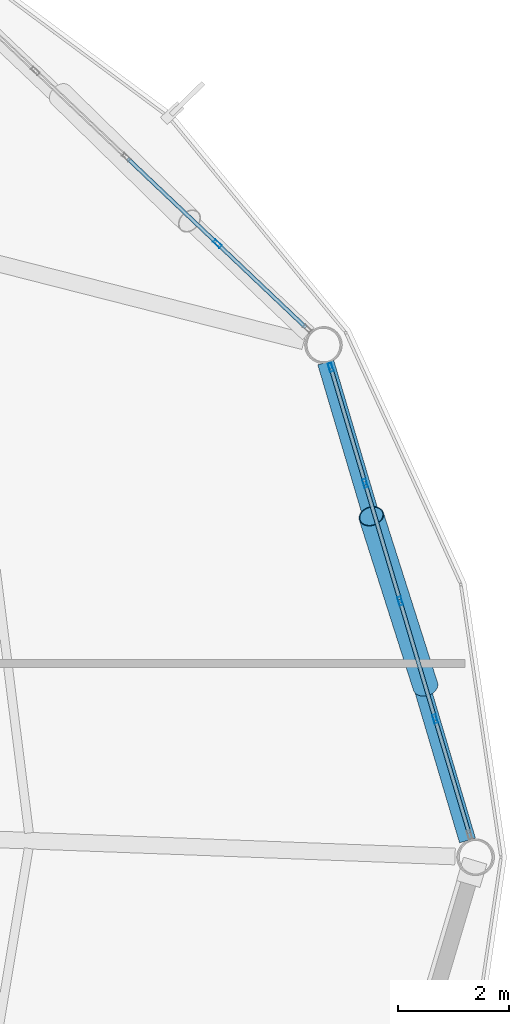
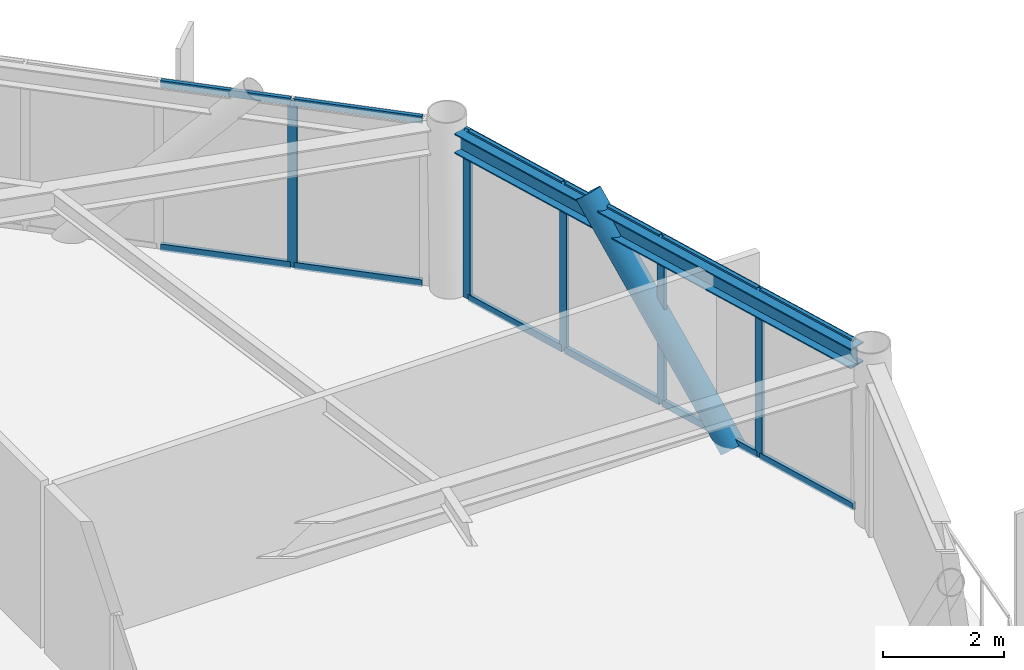
# One storey, part 16 of 28: 18 members, 1 beam, 2 elements without a shape of their own.
"""IFC4 building model written with IfcOpenShell, lengths in metres."""

from ifc_helpers import new_model, si_unit, direction, frame, origin, origin_2d, place, context, subcontext, project, spatial, hollow_rectangle, hollow_circle, i_section, extrude, material, layer, layer_set, material_profile, profile_set, type_object, element, aggregate, save


model = new_model("IFC4")

# Units and contexts
model_context = context("Model", 3, precision=1e-05, world=origin(), true_north=direction((0.0, 1.0)))
body_context = subcontext(model_context, "Body", "Model", "MODEL_VIEW")
ifc_project = project(units=[si_unit("LENGTHUNIT", "METRE"), si_unit("AREAUNIT", "SQUARE_METRE"), si_unit("VOLUMEUNIT", "CUBIC_METRE"), si_unit("PLANEANGLEUNIT", "RADIAN"), si_unit("MASSUNIT", "GRAM", prefix="KILO")], contexts=[model_context])

# Site, building, storey
site_placement = place(None, origin())
site = spatial("IfcSite", under=ifc_project, at=site_placement, CompositionType="ELEMENT")
building_placement = place(site_placement, origin())
building = spatial("IfcBuilding", under=site, at=building_placement, Name="Varnakorn Sky Granary", CompositionType="ELEMENT")
storey_placement = place(building_placement, frame((0.0, 0.0, 186.0)))
storey = spatial("IfcBuildingStorey", under=building, at=storey_placement, Name="L46", CompositionType="ELEMENT", Elevation=186.0)

# Beam
ifc_material_1 = material(Name="Steel S355JR", Category="steel")
ifc_material_profile_1 = material_profile(ifc_material_1, i_section(OverallWidth=0.300048828125, OverallDepth=0.39990234375, WebThickness=0.013427734375, FlangeThickness=0.02392578125, at=origin_2d()), Name="HE 400 B")
ifc_profile_set_1 = profile_set([ifc_material_profile_1], Name="Steel S355JR")
beam_type = type_object("IfcBeamType", Name="BM-SPD-Z4", PredefinedType="SPANDREL", material=ifc_profile_set_1)
beam_placement = place(storey_placement, frame((24.33935546875, 0.302001953125, 3.159912109375), z_axis=(-0.284290421761, 0.958738210407, 0.0), x_axis=(-0.958738210407, -0.284290421761, 0.0)))
element("IfcBeam", 1, at=beam_placement, inside=storey, type_object=beam_type, Name="Perimeter Spandrel Ring Beam RB01 L46", PredefinedType="SPANDREL", context=body_context, shape_type="SweptSolid", body=[
    extrude(i_section(OverallWidth=0.300048828125, OverallDepth=0.39990234375, WebThickness=0.013427734375, FlangeThickness=0.02392578125, at=origin_2d()), origin(), (0.0, 0.0, 1.0), 9.007568359375),
])

# Curtain wall, members
ifc_material_2 = material(Name="Anodised Bronze Aluminium Alloy 6063-T6", Category="aluminium")
ifc_layer = layer(ifc_material_2, 0.169921875, Name="Anodised Bronze Aluminium Alloy 6063-T6")
ifc_layer_set = layer_set([ifc_layer], Name="Anodised Bronze Aluminium Alloy 6063-T6")
curtain_wall_type = type_object("IfcCurtainWallType", Name="CW-LAB-1", PredefinedType="USERDEFINED", material=ifc_layer_set)
curtain_wall_1_placement = place(storey_placement, origin())
curtain_wall_1 = element("IfcCurtainWall", 2, at=curtain_wall_1_placement, inside=storey, type_object=curtain_wall_type, Name="Unitised Curtain Wall CW5 CW-L46-B01", ObjectType="CURTAIN WALL", PredefinedType="USERDEFINED")
ifc_material_profile_2 = material_profile(ifc_material_2, hollow_rectangle(XDim=0.06494140625, YDim=0.159912109375, WallThickness=0.00341796875, at=origin_2d()), Name="ALU MULL 65x160")
ifc_profile_set_2 = profile_set([ifc_material_profile_2], Name="Anodised Bronze Aluminium Alloy 6063-T6")
member_type_1 = type_object("IfcMemberType", Name="CW-LAB-1-MULL", PredefinedType="MULLION", material=ifc_profile_set_2)
member_1_placement = place(storey_placement, frame((21.8681640625, 8.8515625, 0.0), z_axis=(0.0, 0.0, 1.0), x_axis=(0.958613672651, 0.28471007465, 0.0)))
member_1 = element("IfcMember", 3, at=member_1_placement, type_object=member_type_1, Name="CW5 mullion 1", PredefinedType="MULLION", context=body_context, shape_type="SweptSolid", body=[
    extrude(hollow_rectangle(XDim=0.06494140625, YDim=0.159912109375, WallThickness=0.00341796875, at=origin_2d()), origin(), (0.0, 0.0, 1.0), 3.360107421875),
])
member_2_placement = place(storey_placement, frame((22.49072265625, 6.75537109375, 0.0), z_axis=(0.0, 0.0, 1.0), x_axis=(0.958613672651, 0.28471007465, 0.0)))
member_2 = element("IfcMember", 4, at=member_2_placement, type_object=member_type_1, Name="CW5 mullion 2", PredefinedType="MULLION", context=body_context, shape_type="SweptSolid", body=[
    extrude(hollow_rectangle(XDim=0.06494140625, YDim=0.159912109375, WallThickness=0.00341796875, at=origin_2d()), origin(), (0.0, 0.0, 1.0), 3.360107421875),
])
member_3_placement = place(storey_placement, frame((23.12255859375, 4.628173828125, 0.0), z_axis=(0.0, 0.0, 1.0), x_axis=(0.958613672651, 0.28471007465, 0.0)))
member_3 = element("IfcMember", 5, at=member_3_placement, type_object=member_type_1, Name="CW5 mullion 3", PredefinedType="MULLION", context=body_context, shape_type="SweptSolid", body=[
    extrude(hollow_rectangle(XDim=0.06494140625, YDim=0.159912109375, WallThickness=0.00341796875, at=origin_2d()), origin(), (0.0, 0.0, 1.0), 3.360107421875),
])
member_4_placement = place(storey_placement, frame((23.754150390625, 2.5009765625, 0.0), z_axis=(0.0, 0.0, 1.0), x_axis=(0.958613672651, 0.28471007465, 0.0)))
member_4 = element("IfcMember", 6, at=member_4_placement, type_object=member_type_1, Name="CW5 mullion 4", PredefinedType="MULLION", context=body_context, shape_type="SweptSolid", body=[
    extrude(hollow_rectangle(XDim=0.06494140625, YDim=0.159912109375, WallThickness=0.00341796875, at=origin_2d()), origin(), (0.0, 0.0, 1.0), 3.360107421875),
])

# Curtain wall, member
curtain_wall_2_placement = place(storey_placement, origin())
curtain_wall_2 = element("IfcCurtainWall", 7, at=curtain_wall_2_placement, inside=storey, type_object=curtain_wall_type, Name="Unitised Curtain Wall CW5 CW-L46-B02", ObjectType="CURTAIN WALL", PredefinedType="USERDEFINED")
member_5_placement = place(storey_placement, frame((19.821044921875, 11.084716796875, 0.0), z_axis=(0.0, 0.0, 1.0), x_axis=(0.688291544345, 0.725434180325, 0.0)))
member_5 = element("IfcMember", 8, at=member_5_placement, type_object=member_type_1, Name="CW5 mullion 4", PredefinedType="MULLION", context=body_context, shape_type="SweptSolid", body=[
    extrude(hollow_rectangle(XDim=0.06494140625, YDim=0.159912109375, WallThickness=0.00341796875, at=origin_2d()), origin(), (0.0, 0.0, 1.0), 3.360107421875),
])

# Member
ifc_material_profile_3 = material_profile(ifc_material_2, hollow_rectangle(XDim=0.070068359375, YDim=0.139892578125, WallThickness=0.00341796875, at=origin_2d()), Name="ALU TRAN 70x140")
ifc_profile_set_3 = profile_set([ifc_material_profile_3], Name="Anodised Bronze Aluminium Alloy 6063-T6")
member_type_2 = type_object("IfcMemberType", Name="CW-LAB-1-TRAN", PredefinedType="USERDEFINED", material=ifc_profile_set_3)
member_6_placement = place(storey_placement, frame((21.87744140625, 8.8203125, 0.034912109375), z_axis=(0.284707350293, -0.958614481786, 0.0), x_axis=(0.958614481786, 0.284707350293, 0.0)))
member_6 = element("IfcMember", 9, at=member_6_placement, type_object=member_type_2, Name="CW5 transom 1.1", ObjectType="TRANSOM", PredefinedType="USERDEFINED", context=body_context, shape_type="SweptSolid", body=[
    extrude(hollow_rectangle(XDim=0.070068359375, YDim=0.139892578125, WallThickness=0.00341796875, at=origin_2d()), origin(), (0.0, 0.0, 1.0), 2.12158203125),
])

member_7_placement = place(storey_placement, frame((21.87744140625, 8.8203125, 3.324951171875), z_axis=(0.284707350293, -0.958614481786, 0.0), x_axis=(0.958614481786, 0.284707350293, 0.0)))
member_7 = element("IfcMember", 10, at=member_7_placement, type_object=member_type_2, Name="CW5 transom 1.2", ObjectType="TRANSOM", PredefinedType="USERDEFINED", context=body_context, shape_type="SweptSolid", body=[
    extrude(hollow_rectangle(XDim=0.070068359375, YDim=0.139892578125, WallThickness=0.00341796875, at=origin_2d()), origin(), (0.0, 0.0, 1.0), 2.12158203125),
])

member_8_placement = place(storey_placement, frame((22.5, 6.724365234375, 0.034912109375), z_axis=(0.284705699876, -0.958614971956, 0.0), x_axis=(0.958614971956, 0.284705699876, 0.0)))
member_8 = element("IfcMember", 11, at=member_8_placement, type_object=member_type_2, Name="CW5 transom 2.1", ObjectType="TRANSOM", PredefinedType="USERDEFINED", context=body_context, shape_type="SweptSolid", body=[
    extrude(hollow_rectangle(XDim=0.070068359375, YDim=0.139892578125, WallThickness=0.00341796875, at=origin_2d()), origin(), (0.0, 0.0, 1.0), 2.154052734375),
])

member_9_placement = place(storey_placement, frame((22.5, 6.724365234375, 3.324951171875), z_axis=(0.284705699876, -0.958614971956, 0.0), x_axis=(0.958614971956, 0.284705699876, 0.0)))
member_9 = element("IfcMember", 12, at=member_9_placement, type_object=member_type_2, Name="CW5 transom 2.2", ObjectType="TRANSOM", PredefinedType="USERDEFINED", context=body_context, shape_type="SweptSolid", body=[
    extrude(hollow_rectangle(XDim=0.070068359375, YDim=0.139892578125, WallThickness=0.00341796875, at=origin_2d()), origin(), (0.0, 0.0, 1.0), 2.154052734375),
])

member_10_placement = place(storey_placement, frame((23.131591796875, 4.59716796875, 0.034912109375), z_axis=(0.284705699876, -0.958614971956, 0.0), x_axis=(0.958614971956, 0.284705699876, 0.0)))
member_10 = element("IfcMember", 13, at=member_10_placement, type_object=member_type_2, Name="CW5 transom 3.1", ObjectType="TRANSOM", PredefinedType="USERDEFINED", context=body_context, shape_type="SweptSolid", body=[
    extrude(hollow_rectangle(XDim=0.070068359375, YDim=0.139892578125, WallThickness=0.00341796875, at=origin_2d()), origin(), (0.0, 0.0, 1.0), 2.154052734375),
])

member_11_placement = place(storey_placement, frame((23.131591796875, 4.59716796875, 3.324951171875), z_axis=(0.284705699876, -0.958614971956, 0.0), x_axis=(0.958614971956, 0.284705699876, 0.0)))
member_11 = element("IfcMember", 14, at=member_11_placement, type_object=member_type_2, Name="CW5 transom 3.2", ObjectType="TRANSOM", PredefinedType="USERDEFINED", context=body_context, shape_type="SweptSolid", body=[
    extrude(hollow_rectangle(XDim=0.070068359375, YDim=0.139892578125, WallThickness=0.00341796875, at=origin_2d()), origin(), (0.0, 0.0, 1.0), 2.154052734375),
])

member_12_placement = place(storey_placement, frame((23.763427734375, 2.469970703125, 0.034912109375), z_axis=(0.284707350293, -0.958614481786, 0.0), x_axis=(0.958614481786, 0.284707350293, 0.0)))
member_12 = element("IfcMember", 15, at=member_12_placement, type_object=member_type_2, Name="CW5 transom 4.1", ObjectType="TRANSOM", PredefinedType="USERDEFINED", context=body_context, shape_type="SweptSolid", body=[
    extrude(hollow_rectangle(XDim=0.070068359375, YDim=0.139892578125, WallThickness=0.00341796875, at=origin_2d()), origin(), (0.0, 0.0, 1.0), 2.12158203125),
])

member_13_placement = place(storey_placement, frame((23.763427734375, 2.469970703125, 3.324951171875), z_axis=(0.284707350293, -0.958614481786, 0.0), x_axis=(0.958614481786, 0.284707350293, 0.0)))
member_13 = element("IfcMember", 16, at=member_13_placement, type_object=member_type_2, Name="CW5 transom 4.2", ObjectType="TRANSOM", PredefinedType="USERDEFINED", context=body_context, shape_type="SweptSolid", body=[
    extrude(hollow_rectangle(XDim=0.070068359375, YDim=0.139892578125, WallThickness=0.00341796875, at=origin_2d()), origin(), (0.0, 0.0, 1.0), 2.12158203125),
])

aggregate(curtain_wall_1, [member_1, member_2, member_3, member_4, member_6, member_7, member_8, member_9, member_10, member_11, member_12, member_13])

member_14_placement = place(storey_placement, frame((18.200439453125, 12.622314453125, 0.034912109375), z_axis=(0.725439559585, -0.688285874757, 0.0), x_axis=(0.688285874757, 0.725439559585, 0.0)))
member_14 = element("IfcMember", 17, at=member_14_placement, type_object=member_type_2, Name="CW5 transom 3.1", ObjectType="TRANSOM", PredefinedType="USERDEFINED", context=body_context, shape_type="SweptSolid", body=[
    extrude(hollow_rectangle(XDim=0.070068359375, YDim=0.139892578125, WallThickness=0.00341796875, at=origin_2d()), origin(), (0.0, 0.0, 1.0), 2.201416015625),
])

member_15_placement = place(storey_placement, frame((18.200439453125, 12.622314453125, 3.324951171875), z_axis=(0.725439559585, -0.688285874757, 0.0), x_axis=(0.688285874757, 0.725439559585, 0.0)))
member_15 = element("IfcMember", 18, at=member_15_placement, type_object=member_type_2, Name="CW5 transom 3.2", ObjectType="TRANSOM", PredefinedType="USERDEFINED", context=body_context, shape_type="SweptSolid", body=[
    extrude(hollow_rectangle(XDim=0.070068359375, YDim=0.139892578125, WallThickness=0.00341796875, at=origin_2d()), origin(), (0.0, 0.0, 1.0), 2.201416015625),
])

member_16_placement = place(storey_placement, frame((19.844482421875, 11.0625, 0.034912109375), z_axis=(0.725434876851, -0.688290810231, 0.0), x_axis=(0.688290810231, 0.725434876851, 0.0)))
member_16 = element("IfcMember", 19, at=member_16_placement, type_object=member_type_2, Name="CW5 transom 4.1", ObjectType="TRANSOM", PredefinedType="USERDEFINED", context=body_context, shape_type="SweptSolid", body=[
    extrude(hollow_rectangle(XDim=0.070068359375, YDim=0.139892578125, WallThickness=0.00341796875, at=origin_2d()), origin(), (0.0, 0.0, 1.0), 2.1689453125),
])

member_17_placement = place(storey_placement, frame((19.844482421875, 11.0625, 3.324951171875), z_axis=(0.725434876851, -0.688290810231, 0.0), x_axis=(0.688290810231, 0.725434876851, 0.0)))
member_17 = element("IfcMember", 20, at=member_17_placement, type_object=member_type_2, Name="CW5 transom 4.2", ObjectType="TRANSOM", PredefinedType="USERDEFINED", context=body_context, shape_type="SweptSolid", body=[
    extrude(hollow_rectangle(XDim=0.070068359375, YDim=0.139892578125, WallThickness=0.00341796875, at=origin_2d()), origin(), (0.0, 0.0, 1.0), 2.1689453125),
])

aggregate(curtain_wall_2, [member_5, member_14, member_15, member_16, member_17])

ifc_material_3 = material(Name="Steel S460M", Category="steel")
ifc_material_profile_4 = material_profile(ifc_material_3, hollow_circle(Radius=0.228515625, WallThickness=0.01611328125, at=origin_2d()), Name="CHS 457x16")
ifc_profile_set_4 = profile_set([ifc_material_profile_4], Name="Steel S460M")
member_type_3 = type_object("IfcMemberType", Name="MB-DIAG-T3", PredefinedType="BRACE", material=ifc_profile_set_4)
member_18_placement = place(storey_placement, frame((23.58056640625, 3.08544921875, -0.1298828125), z_axis=(-0.20174698493, 0.63404037465, 0.74651922774), x_axis=(-0.952922798565, -0.303213027384, 0.0)))
element("IfcMember", 21, at=member_18_placement, inside=storey, type_object=member_type_3, Name="Perimeter CHS Diagrid Brace DG01 L46", PredefinedType="BRACE", context=body_context, shape_type="SweptSolid", body=[
    extrude(hollow_circle(Radius=0.228515625, WallThickness=0.01611328125, at=origin_2d()), origin(), (0.0, 0.0, 1.0), 4.84912109375),
])

save(model, "model.ifc")
